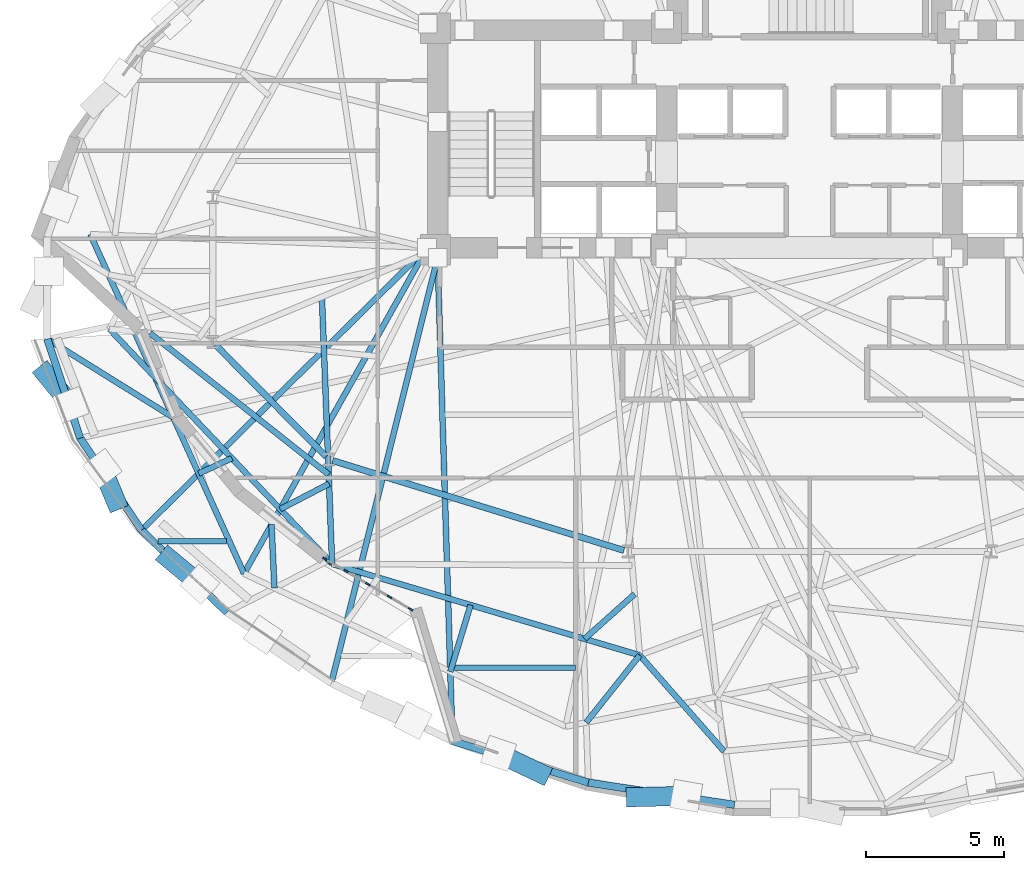
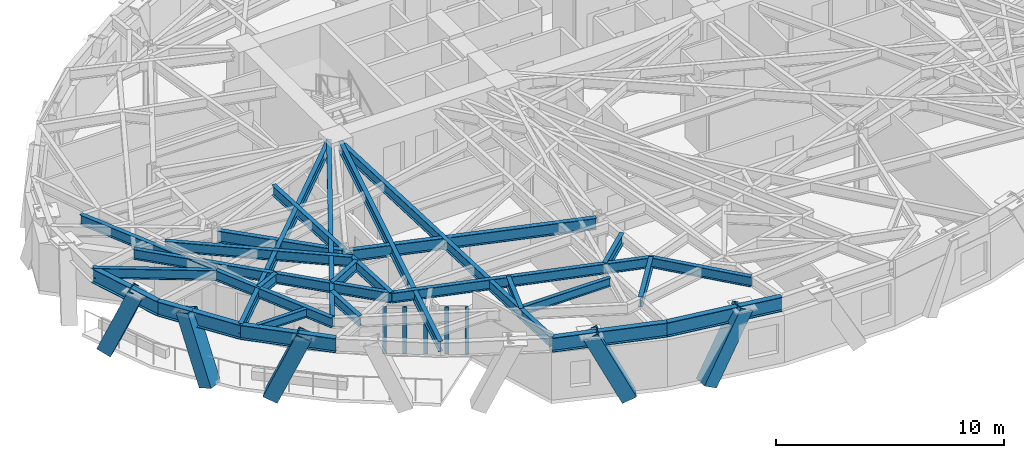
# One storey, part 2 of 17: 26 beams, 10 members, 1 element without a shape of its own.
"""IFC4 building model written with IfcOpenShell, lengths in metres."""

from ifc_helpers import new_model, si_unit, direction, frame, origin, origin_2d, place, context, subcontext, project, spatial, rectangle, hollow_rectangle, i_section, extrude, material, layer, layer_set, material_profile, profile_set, type_object, element, aggregate, save


model = new_model("IFC4")

# Units and contexts
model_context = context("Model", 3, precision=1e-05, world=origin(), true_north=direction((0.0, 1.0)))
body_context = subcontext(model_context, "Body", "Model", "MODEL_VIEW")
ifc_project = project(units=[si_unit("LENGTHUNIT", "METRE"), si_unit("AREAUNIT", "SQUARE_METRE"), si_unit("VOLUMEUNIT", "CUBIC_METRE"), si_unit("PLANEANGLEUNIT", "RADIAN"), si_unit("MASSUNIT", "GRAM", prefix="KILO")], contexts=[model_context])

# Site, building, storey
site_placement = place(None, origin())
site = spatial("IfcSite", under=ifc_project, at=site_placement, CompositionType="ELEMENT")
building_placement = place(site_placement, origin())
building = spatial("IfcBuilding", under=site, at=building_placement, Name="Keldmark Tower", CompositionType="ELEMENT")
storey_placement = place(building_placement, frame((0.0, 0.0, 96.60009765625)))
storey = spatial("IfcBuildingStorey", under=building, at=storey_placement, Name="L25", CompositionType="ELEMENT", Elevation=96.60009765625)

# Beams
ifc_material_1 = material(Name="Steel ASTM A992 Grade 50", Category="steel")
ifc_material_profile_1 = material_profile(ifc_material_1, i_section(OverallWidth=0.19091796875, OverallDepth=0.45703125, WebThickness=0.009033203125, FlangeThickness=0.014404296875, at=origin_2d()), Name="W18X50")
ifc_profile_set_1 = profile_set([ifc_material_profile_1], Name="Steel ASTM A992 Grade 50")
beam_type_1 = type_object("IfcBeamType", Name="Composite Floor Joist W18X50", PredefinedType="JOIST", material=ifc_profile_set_1)
beam_1_placement = place(storey_placement, frame((-12.91748046875, -13.800048828125, 3.081298828125), z_axis=(1.0, 0.0, 0.0), x_axis=(0.0, 1.0, 0.0)))
element("IfcBeam", 1, at=beam_1_placement, inside=storey, type_object=beam_type_1, Name="L25 Composite Floor Joist J02", PredefinedType="JOIST", context=body_context, shape_type="SweptSolid", body=[
    extrude(i_section(OverallWidth=0.19091796875, OverallDepth=0.45703125, WebThickness=0.009033203125, FlangeThickness=0.014404296875, at=origin_2d()), origin(), (0.0, 0.0, 1.0), 4.411376953125),
])
beam_2_placement = place(storey_placement, frame((-23.697265625, -9.199951171875, 3.081298828125), z_axis=(1.0, 0.0, 0.0), x_axis=(0.0, 1.0, 0.0)))
element("IfcBeam", 2, at=beam_2_placement, inside=storey, type_object=beam_type_1, Name="L25 Composite Floor Joist J03", PredefinedType="JOIST", context=body_context, shape_type="SweptSolid", body=[
    extrude(i_section(OverallWidth=0.19091796875, OverallDepth=0.45703125, WebThickness=0.009033203125, FlangeThickness=0.014404296875, at=origin_2d()), origin(), (0.0, 0.0, 1.0), 2.493896484375),
])

# Curtain wall, members
ifc_material_2 = material(Name="Unitized Thermally Broken Aluminum and Triple Low-E Glazing", Category="aluminium")
ifc_layer = layer(ifc_material_2, 0.219970703125)
ifc_layer_set = layer_set([ifc_layer], Name="Unitized Thermally Broken Aluminum and Triple Low-E Glazing")
curtain_wall_type = type_object("IfcCurtainWallType", Name="Spiralling Sky-Garden Feature Curtain Wall System", PredefinedType="NOTDEFINED", material=ifc_layer_set)
curtain_wall_placement = place(storey_placement, origin())
curtain_wall = element("IfcCurtainWall", 3, at=curtain_wall_placement, inside=storey, type_object=curtain_wall_type, Name="L25 Spiralling Sky-Garden Feature Curtain Wall System CW-L25-20", PredefinedType="NOTDEFINED")
ifc_material_3 = material(Name="Extruded Aluminum Alloy 6063-T6", Category="aluminium")
ifc_material_profile_2 = material_profile(ifc_material_3, rectangle(XDim=0.06005859375, YDim=0.179931640625, at=origin_2d()), Name="CWM60X180")
ifc_profile_set_2 = profile_set([ifc_material_profile_2], Name="Extruded Aluminum Alloy 6063-T6")
member_type_1 = type_object("IfcMemberType", Name="Curtain Wall Structural Mullion 60x180", PredefinedType="MULLION", material=ifc_profile_set_2)
member_1_placement = place(storey_placement, frame((-14.5048828125, -11.676025390625, 0.0), z_axis=(0.0, 0.0, 1.0), x_axis=(-0.506662281941, -0.862144612034, 0.0)))
member_1 = element("IfcMember", 4, at=member_1_placement, type_object=member_type_1, Name="CW mullion 1", PredefinedType="MULLION", context=body_context, shape_type="SweptSolid", body=[
    extrude(rectangle(XDim=0.06005859375, YDim=0.179931640625, at=origin_2d()), origin(), (0.0, 0.0, 1.0), 2.52783203125),
])
member_2_placement = place(storey_placement, frame((-15.271484375, -11.2255859375, 0.0), z_axis=(0.0, 0.0, 1.0), x_axis=(-0.506662281941, -0.862144612034, 0.0)))
member_2 = element("IfcMember", 5, at=member_2_placement, type_object=member_type_1, Name="CW mullion 2", PredefinedType="MULLION", context=body_context, shape_type="SweptSolid", body=[
    extrude(rectangle(XDim=0.06005859375, YDim=0.179931640625, at=origin_2d()), origin(), (0.0, 0.0, 1.0), 2.52783203125),
])
member_3_placement = place(storey_placement, frame((-16.06396484375, -10.759765625, 0.0), z_axis=(0.0, 0.0, 1.0), x_axis=(-0.506662281941, -0.862144612034, 0.0)))
member_3 = element("IfcMember", 6, at=member_3_placement, type_object=member_type_1, Name="CW mullion 3", PredefinedType="MULLION", context=body_context, shape_type="SweptSolid", body=[
    extrude(rectangle(XDim=0.06005859375, YDim=0.179931640625, at=origin_2d()), origin(), (0.0, 0.0, 1.0), 2.52783203125),
])
member_4_placement = place(storey_placement, frame((-16.856201171875, -10.294189453125, 0.0), z_axis=(0.0, 0.0, 1.0), x_axis=(-0.506662281941, -0.862144612034, 0.0)))
member_4 = element("IfcMember", 7, at=member_4_placement, type_object=member_type_1, Name="CW mullion 4", PredefinedType="MULLION", context=body_context, shape_type="SweptSolid", body=[
    extrude(rectangle(XDim=0.06005859375, YDim=0.179931640625, at=origin_2d()), origin(), (0.0, 0.0, 1.0), 2.52783203125),
])
member_5_placement = place(storey_placement, frame((-17.622802734375, -9.84375, 0.0), z_axis=(0.0, 0.0, 1.0), x_axis=(-0.506662281941, -0.862144612034, 0.0)))
member_5 = element("IfcMember", 8, at=member_5_placement, type_object=member_type_1, Name="CW mullion 5", PredefinedType="MULLION", context=body_context, shape_type="SweptSolid", body=[
    extrude(rectangle(XDim=0.06005859375, YDim=0.179931640625, at=origin_2d()), origin(), (0.0, 0.0, 1.0), 2.52783203125),
])
aggregate(curtain_wall, [member_1, member_2, member_3, member_4, member_5])

# Members
ifc_material_4 = material(Name="Steel ASTM A572 Grade 50", Category="steel")
ifc_material_profile_3 = material_profile(ifc_material_4, hollow_rectangle(XDim=0.699951171875, YDim=0.699951171875, WallThickness=0.054931640625, at=origin_2d()), Name="BOX700X700X55")
ifc_profile_set_3 = profile_set([ifc_material_profile_3], Name="Steel ASTM A572 Grade 50")
member_type_2 = type_object("IfcMemberType", Name="Diagrid Zone 1 Brace BOX700X700X55", PredefinedType="BRACE", material=ifc_profile_set_3)
member_6_placement = place(storey_placement, frame((-27.790771484375, -3.099853515625, -0.27001953125), z_axis=(0.247255490472, -0.304948438249, 0.919712548811), x_axis=(0.77675574872, 0.629801958421, 0.0)))
element("IfcMember", 9, at=member_6_placement, inside=storey, type_object=member_type_2, Name="L25 Perimeter Diagrid Brace 09A", PredefinedType="BRACE", context=body_context, shape_type="SweptSolid", body=[
    extrude(hollow_rectangle(XDim=0.699951171875, YDim=0.699951171875, WallThickness=0.054931640625, at=origin_2d()), origin(), (0.0, 0.0, 1.0), 3.761962890625),
])
member_7_placement = place(storey_placement, frame((-25.227294921875, -7.7373046875, -0.27001953125), z_axis=(-0.134030545644, 0.3209852949, 0.937552266966), x_axis=(-0.922784061619, -0.385317499761, 0.0)))
element("IfcMember", 10, at=member_7_placement, inside=storey, type_object=member_type_2, Name="L25 Perimeter Diagrid Brace 09B", PredefinedType="BRACE", context=body_context, shape_type="SweptSolid", body=[
    extrude(hollow_rectangle(XDim=0.699951171875, YDim=0.699951171875, WallThickness=0.054931640625, at=origin_2d()), origin(), (0.0, 0.0, 1.0), 3.6904296875),
])
member_8_placement = place(storey_placement, frame((-23.323486328125, -9.8125, -0.27001953125), z_axis=(0.30573270927, -0.252682902301, 0.917975414359), x_axis=(0.637062902617, 0.770811817573, 0.0)))
element("IfcMember", 11, at=member_8_placement, inside=storey, type_object=member_type_2, Name="L25 Perimeter Diagrid Brace 10A", PredefinedType="BRACE", context=body_context, shape_type="SweptSolid", body=[
    extrude(hollow_rectangle(XDim=0.699951171875, YDim=0.699951171875, WallThickness=0.054931640625, at=origin_2d()), origin(), (0.0, 0.0, 1.0), 3.76904296875),
])
member_9_placement = place(storey_placement, frame((-9.775634765625, -17.64306640625, -0.27001953125), z_axis=(-0.398180599514, 0.187908298832, 0.897854487877), x_axis=(-0.426780787201, -0.904355107066, 0.0)))
element("IfcMember", 12, at=member_9_placement, inside=storey, type_object=member_type_2, Name="L25 Perimeter Diagrid Brace 11B", PredefinedType="BRACE", context=body_context, shape_type="SweptSolid", body=[
    extrude(hollow_rectangle(XDim=0.699951171875, YDim=0.699951171875, WallThickness=0.054931640625, at=origin_2d()), origin(), (0.0, 0.0, 1.0), 3.853515625),
])
member_10_placement = place(storey_placement, frame((-6.357421875, -18.508056640625, -0.27001953125), z_axis=(0.476033807993, 0.011851206638, 0.879347122898), x_axis=(-0.024888013149, 0.999690245427, 0.0)))
element("IfcMember", 13, at=member_10_placement, inside=storey, type_object=member_type_2, Name="L25 Perimeter Diagrid Brace 12A", PredefinedType="BRACE", context=body_context, shape_type="SweptSolid", body=[
    extrude(hollow_rectangle(XDim=0.699951171875, YDim=0.699951171875, WallThickness=0.054931640625, at=origin_2d()), origin(), (0.0, 0.0, 1.0), 3.934814453125),
])

# Beams
ifc_material_5 = material(Name="Steel ASTM A992 Grade 50", Category="steel")
ifc_material_profile_4 = material_profile(ifc_material_5, i_section(OverallWidth=0.22900390625, OverallDepth=0.612060546875, WebThickness=0.011962890625, FlangeThickness=0.01953125, at=origin_2d()), Name="W24X84")
ifc_profile_set_4 = profile_set([ifc_material_profile_4], Name="Steel ASTM A992 Grade 50")
beam_type_2 = type_object("IfcBeamType", Name="Primary Floor Girder W24X84", PredefinedType="BEAM", material=ifc_profile_set_4)
beam_3_placement = place(storey_placement, frame((-21.598388671875, -2.0654296875, 3.00390625), z_axis=(0.703425791323, -0.71076870788, 0.0), x_axis=(0.71076870788, 0.703425791323, 0.0)))
element("IfcBeam", 14, at=beam_3_placement, inside=storey, type_object=beam_type_2, Name="L25 Floor Ring Girder FG-R07", PredefinedType="BEAM", context=body_context, shape_type="SweptSolid", body=[
    extrude(i_section(OverallWidth=0.22900390625, OverallDepth=0.612060546875, WebThickness=0.011962890625, FlangeThickness=0.01953125, at=origin_2d()), origin(), (0.0, 0.0, 1.0), 5.71875),
])
beam_4_placement = place(storey_placement, frame((-17.343505859375, -6.270751953125, 3.00390625), z_axis=(0.955607954968, -0.294641199432, 0.0), x_axis=(0.294641199432, 0.955607954968, 0.0)))
element("IfcBeam", 15, at=beam_4_placement, inside=storey, type_object=beam_type_2, Name="L25 Floor Ring Girder FG-R08", PredefinedType="BEAM", context=body_context, shape_type="SweptSolid", body=[
    extrude(i_section(OverallWidth=0.22900390625, OverallDepth=0.612060546875, WebThickness=0.011962890625, FlangeThickness=0.01953125, at=origin_2d()), origin(), (0.0, 0.0, 1.0), 11.089111328125),
])
ifc_material_6 = material(Name="Steel ASTM A992 Grade 50", Category="steel")
ifc_material_profile_5 = material_profile(ifc_material_6, i_section(OverallWidth=0.2099609375, OverallDepth=0.537109375, WebThickness=0.010986328125, FlangeThickness=0.017333984375, at=origin_2d()), Name="W21X68")
ifc_profile_set_5 = profile_set([ifc_material_profile_5], Name="Steel ASTM A992 Grade 50")
beam_type_3 = type_object("IfcBeamType", Name="Radial Tie Girder W21X68", PredefinedType="BEAM", material=ifc_profile_set_5)
beam_5_placement = place(storey_placement, frame((-23.97900390625, -1.637939453125, 3.04150390625), z_axis=(0.78414802779, -0.62057382358, 0.0), x_axis=(0.62057382358, 0.78414802779, 0.0)))
element("IfcBeam", 16, at=beam_5_placement, inside=storey, type_object=beam_type_3, Name="L25 Framing Pin Header PH-005", PredefinedType="BEAM", context=body_context, shape_type="SweptSolid", body=[
    extrude(i_section(OverallWidth=0.2099609375, OverallDepth=0.537109375, WebThickness=0.010986328125, FlangeThickness=0.017333984375, at=origin_2d()), origin(), (0.0, 0.0, 1.0), 8.281982421875),
])
beam_6_placement = place(storey_placement, frame((-17.7314453125, -0.3173828125, 3.04150390625), z_axis=(0.038214090549, -0.999269574881, 0.0), x_axis=(0.999269574881, 0.038214090549, 0.0)))
element("IfcBeam", 17, at=beam_6_placement, inside=storey, type_object=beam_type_3, Name="L25 Sub-Ring Step Girder STP1-M08", PredefinedType="BEAM", context=body_context, shape_type="SweptSolid", body=[
    extrude(i_section(OverallWidth=0.2099609375, OverallDepth=0.537109375, WebThickness=0.010986328125, FlangeThickness=0.017333984375, at=origin_2d()), origin(), (0.0, 0.0, 1.0), 9.71728515625),
])
beam_7_placement = place(storey_placement, frame((-25.46142578125, -1.48681640625, 3.04150390625), z_axis=(0.688194938593, -0.725525827586, 0.0), x_axis=(0.725525827586, 0.688194938593, 0.0)))
element("IfcBeam", 18, at=beam_7_placement, inside=storey, type_object=beam_type_3, Name="L25 Perimeter Collector Ring Beam CRG1-M07", PredefinedType="BEAM", context=body_context, shape_type="SweptSolid", body=[
    extrude(i_section(OverallWidth=0.2099609375, OverallDepth=0.537109375, WebThickness=0.010986328125, FlangeThickness=0.017333984375, at=origin_2d()), origin(), (0.0, 0.0, 1.0), 11.771728515625),
])
beam_8_placement = place(storey_placement, frame((-17.360107421875, -10.027587890625, 3.04150390625), z_axis=(0.958614481786, -0.284707350293, 0.0), x_axis=(0.284707350293, 0.958614481786, 0.0)))
element("IfcBeam", 19, at=beam_8_placement, inside=storey, type_object=beam_type_3, Name="L25 Perimeter Collector Ring Beam CRG1-M08", PredefinedType="BEAM", context=body_context, shape_type="SweptSolid", body=[
    extrude(i_section(OverallWidth=0.2099609375, OverallDepth=0.537109375, WebThickness=0.010986328125, FlangeThickness=0.017333984375, at=origin_2d()), origin(), (0.0, 0.0, 1.0), 11.668212890625),
])
beam_9_placement = place(storey_placement, frame((-17.4716796875, -7.114501953125, 3.04150390625), z_axis=(-0.887240764754, -0.461306650027, 0.0), x_axis=(0.461306650027, -0.887240764754, 0.0)))
element("IfcBeam", 20, at=beam_9_placement, inside=storey, type_object=beam_type_3, Name="L25 Framing Pin Header PH-011", PredefinedType="BEAM", context=body_context, shape_type="SweptSolid", body=[
    extrude(i_section(OverallWidth=0.2099609375, OverallDepth=0.537109375, WebThickness=0.010986328125, FlangeThickness=0.017333984375, at=origin_2d()), origin(), (0.0, 0.0, 1.0), 2.00146484375),
])
beam_10_placement = place(storey_placement, frame((-13.89990234375, 1.47509765625, 3.04150390625), z_axis=(-0.490020847503, -0.871710714063, 0.0), x_axis=(0.871710714063, -0.490020847503, 0.0)))
element("IfcBeam", 21, at=beam_10_placement, inside=storey, type_object=beam_type_3, Name="L25 Sub-Ring Step Girder STP2-M08", PredefinedType="BEAM", context=body_context, shape_type="SweptSolid", body=[
    extrude(i_section(OverallWidth=0.2099609375, OverallDepth=0.537109375, WebThickness=0.010986328125, FlangeThickness=0.017333984375, at=origin_2d()), origin(), (0.0, 0.0, 1.0), 13.5986328125),
])
beam_11_placement = place(storey_placement, frame((-6.361328125, -11.1259765625, 3.04150390625), z_axis=(-0.745675120469, -0.666309698799, 0.0), x_axis=(0.666309698799, -0.745675120469, 0.0)))
element("IfcBeam", 22, at=beam_11_placement, inside=storey, type_object=beam_type_3, Name="L25 Framing Pin Header PH-012", PredefinedType="BEAM", context=body_context, shape_type="SweptSolid", body=[
    extrude(i_section(OverallWidth=0.2099609375, OverallDepth=0.537109375, WebThickness=0.010986328125, FlangeThickness=0.017333984375, at=origin_2d()), origin(), (0.0, 0.0, 1.0), 2.4423828125),
])
beam_12_placement = place(storey_placement, frame((-26.153076171875, 1.956787109375, 3.04150390625), z_axis=(0.412729676036, -0.910853563708, 0.0), x_axis=(0.910853563708, 0.412729676036, 0.0)))
element("IfcBeam", 23, at=beam_12_placement, inside=storey, type_object=beam_type_3, Name="L25 Perimeter Collector Ring Beam CRG2-M07", PredefinedType="BEAM", context=body_context, shape_type="SweptSolid", body=[
    extrude(i_section(OverallWidth=0.2099609375, OverallDepth=0.537109375, WebThickness=0.010986328125, FlangeThickness=0.017333984375, at=origin_2d()), origin(), (0.0, 0.0, 1.0), 13.54296875),
])
beam_13_placement = place(storey_placement, frame((-27.7158203125, -1.8505859375, 3.04150390625), z_axis=(0.848744482282, -0.528803180584, 0.0), x_axis=(0.528803180584, 0.848744482282, 0.0)))
element("IfcBeam", 24, at=beam_13_placement, inside=storey, type_object=beam_type_3, Name="L25 Framing Pin Header PH-026", PredefinedType="BEAM", context=body_context, shape_type="SweptSolid", body=[
    extrude(i_section(OverallWidth=0.2099609375, OverallDepth=0.537109375, WebThickness=0.010986328125, FlangeThickness=0.017333984375, at=origin_2d()), origin(), (0.0, 0.0, 1.0), 5.39794921875),
])
beam_14_placement = place(storey_placement, frame((-21.005615234375, -6.18408203125, 3.04150390625), z_axis=(-0.907059096304, -0.421003320428, 0.0), x_axis=(0.421003320428, -0.907059096304, 0.0)))
element("IfcBeam", 25, at=beam_14_placement, inside=storey, type_object=beam_type_3, Name="L25 Framing Pin Header PH-027", PredefinedType="BEAM", context=body_context, shape_type="SweptSolid", body=[
    extrude(i_section(OverallWidth=0.2099609375, OverallDepth=0.537109375, WebThickness=0.010986328125, FlangeThickness=0.017333984375, at=origin_2d()), origin(), (0.0, 0.0, 1.0), 1.32861328125),
])
beam_15_placement = place(storey_placement, frame((-13.89990234375, 1.47509765625, 3.04150390625), z_axis=(-0.711046002609, -0.703145491469, 0.0), x_axis=(0.703145491469, -0.711046002609, 0.0)))
element("IfcBeam", 26, at=beam_15_placement, inside=storey, type_object=beam_type_3, Name="L25 Perimeter Radial Tie Girder RT-19", PredefinedType="BEAM", context=body_context, shape_type="SweptSolid", body=[
    extrude(i_section(OverallWidth=0.2099609375, OverallDepth=0.537109375, WebThickness=0.010986328125, FlangeThickness=0.017333984375, at=origin_2d()), origin(), (0.0, 0.0, 1.0), 14.61669921875),
])
beam_16_placement = place(storey_placement, frame((-19.56396484375, -8.6005859375, 3.04150390625), z_axis=(0.046458943525, -0.9989202003, 0.0), x_axis=(0.9989202003, 0.046458943525, 0.0)))
element("IfcBeam", 27, at=beam_16_placement, inside=storey, type_object=beam_type_3, Name="L25 Framing Pin Header PH-028", PredefinedType="BEAM", context=body_context, shape_type="SweptSolid", body=[
    extrude(i_section(OverallWidth=0.2099609375, OverallDepth=0.537109375, WebThickness=0.010986328125, FlangeThickness=0.017333984375, at=origin_2d()), origin(), (0.0, 0.0, 1.0), 2.306884765625),
])
beam_17_placement = place(storey_placement, frame((-13.52490234375, 1.10009765625, 3.04150390625), z_axis=(-0.242470755884, -0.970158715129, 0.0), x_axis=(0.970158715129, -0.242470755884, 0.0)))
element("IfcBeam", 28, at=beam_17_placement, inside=storey, type_object=beam_type_3, Name="L25 Perimeter Radial Tie Girder RT-21", PredefinedType="BEAM", context=body_context, shape_type="SweptSolid", body=[
    extrude(i_section(OverallWidth=0.2099609375, OverallDepth=0.537109375, WebThickness=0.010986328125, FlangeThickness=0.017333984375, at=origin_2d()), origin(), (0.0, 0.0, 1.0), 15.93994140625),
])
beam_18_placement = place(storey_placement, frame((-12.326904296875, -11.5224609375, 3.04150390625), z_axis=(-0.290459536612, -0.956887275279, 0.0), x_axis=(0.956887275279, -0.290459536612, 0.0)))
element("IfcBeam", 29, at=beam_18_placement, inside=storey, type_object=beam_type_3, Name="L25 Framing Pin Header PH-030", PredefinedType="BEAM", context=body_context, shape_type="SweptSolid", body=[
    extrude(i_section(OverallWidth=0.2099609375, OverallDepth=0.537109375, WebThickness=0.010986328125, FlangeThickness=0.017333984375, at=origin_2d()), origin(), (0.0, 0.0, 1.0), 2.532470703125),
])
beam_19_placement = place(storey_placement, frame((-13.52490234375, 1.10009765625, 3.04150390625), z_axis=(0.030725213616, -0.99952786917, 0.0), x_axis=(0.99952786917, 0.030725213616, 0.0)))
element("IfcBeam", 30, at=beam_19_placement, inside=storey, type_object=beam_type_3, Name="L25 Perimeter Radial Tie Girder RT-22", PredefinedType="BEAM", context=body_context, shape_type="SweptSolid", body=[
    extrude(i_section(OverallWidth=0.2099609375, OverallDepth=0.537109375, WebThickness=0.010986328125, FlangeThickness=0.017333984375, at=origin_2d()), origin(), (0.0, 0.0, 1.0), 17.576416015625),
])
beam_20_placement = place(storey_placement, frame((-6.1748046875, -13.349609375, 3.04150390625), z_axis=(-0.622920581585, -0.782285081692, 0.0), x_axis=(0.782285081692, -0.622920581585, 0.0)))
element("IfcBeam", 31, at=beam_20_placement, inside=storey, type_object=beam_type_3, Name="L25 Framing Pin Header PH-031", PredefinedType="BEAM", context=body_context, shape_type="SweptSolid", body=[
    extrude(i_section(OverallWidth=0.2099609375, OverallDepth=0.537109375, WebThickness=0.010986328125, FlangeThickness=0.017333984375, at=origin_2d()), origin(), (0.0, 0.0, 1.0), 3.123779296875),
])
beam_21_placement = place(storey_placement, frame((-6.1748046875, -13.349609375, 3.04150390625), z_axis=(0.659803346611, -0.751438316697, 0.0), x_axis=(0.751438316697, 0.659803346611, 0.0)))
element("IfcBeam", 32, at=beam_21_placement, inside=storey, type_object=beam_type_3, Name="L25 Local Collector Chord RT-24C", PredefinedType="BEAM", context=body_context, shape_type="SweptSolid", body=[
    extrude(i_section(OverallWidth=0.2099609375, OverallDepth=0.537109375, WebThickness=0.010986328125, FlangeThickness=0.017333984375, at=origin_2d()), origin(), (0.0, 0.0, 1.0), 4.64111328125),
])
ifc_material_7 = material(Name="Steel ASTM A992 Grade 50", Category="steel")
ifc_material_profile_6 = material_profile(ifc_material_7, i_section(OverallWidth=0.26806640625, OverallDepth=0.77001953125, WebThickness=0.015625, FlangeThickness=0.025390625, at=origin_2d()), Name="W30X132")
ifc_profile_set_6 = profile_set([ifc_material_profile_6], Name="Steel ASTM A992 Grade 50")
beam_type_4 = type_object("IfcBeamType", Name="Spandrel Ring Beam W30X132", PredefinedType="SPANDREL", material=ifc_profile_set_6)
beam_22_placement = place(storey_placement, frame((-27.7158203125, -1.8505859375, 2.9248046875), z_axis=(0.314316911692, -0.94931811266, 0.0), x_axis=(0.94931811266, 0.314316911692, 0.0)))
element("IfcBeam", 33, at=beam_22_placement, inside=storey, type_object=beam_type_4, Name="L25 Perimeter Spandrel Ring Beam SRB-17", PredefinedType="SPANDREL", context=body_context, shape_type="SweptSolid", body=[
    extrude(i_section(OverallWidth=0.26806640625, OverallDepth=0.77001953125, WebThickness=0.015625, FlangeThickness=0.025390625, at=origin_2d()), origin(), (0.0, 0.0, 1.0), 3.7958984375),
])
beam_23_placement = place(storey_placement, frame((-26.522705078125, -5.4541015625, 2.9248046875), z_axis=(0.554265966169, -0.832339617432, 0.0), x_axis=(0.832339617432, 0.554265966169, 0.0)))
element("IfcBeam", 34, at=beam_23_placement, inside=storey, type_object=beam_type_4, Name="L25 Perimeter Spandrel Ring Beam SRB-18", PredefinedType="SPANDREL", context=body_context, shape_type="SweptSolid", body=[
    extrude(i_section(OverallWidth=0.26806640625, OverallDepth=0.77001953125, WebThickness=0.015625, FlangeThickness=0.025390625, at=origin_2d()), origin(), (0.0, 0.0, 1.0), 4.02294921875),
])
beam_24_placement = place(storey_placement, frame((-24.29296875, -8.802490234375, 2.9248046875), z_axis=(0.720581378362, -0.693370375166, 0.0), x_axis=(0.693370375166, 0.720581378362, 0.0)))
element("IfcBeam", 35, at=beam_24_placement, inside=storey, type_object=beam_type_4, Name="L25 Perimeter Spandrel Ring Beam SRB-19", PredefinedType="SPANDREL", context=body_context, shape_type="SweptSolid", body=[
    extrude(i_section(OverallWidth=0.26806640625, OverallDepth=0.77001953125, WebThickness=0.015625, FlangeThickness=0.025390625, at=origin_2d()), origin(), (0.0, 0.0, 1.0), 4.306640625),
])
beam_25_placement = place(storey_placement, frame((-12.98486328125, -16.468017578125, 2.9248046875), z_axis=(0.956228569431, -0.292620783617, 0.0), x_axis=(0.292620783617, 0.956228569431, 0.0)))
element("IfcBeam", 36, at=beam_25_placement, inside=storey, type_object=beam_type_4, Name="L25 Perimeter Spandrel Ring Beam SRB-22", PredefinedType="SPANDREL", context=body_context, shape_type="SweptSolid", body=[
    extrude(i_section(OverallWidth=0.26806640625, OverallDepth=0.77001953125, WebThickness=0.015625, FlangeThickness=0.025390625, at=origin_2d()), origin(), (0.0, 0.0, 1.0), 5.165283203125),
])
beam_26_placement = place(storey_placement, frame((-8.045654296875, -17.9794921875, 2.9248046875), z_axis=(0.988621773192, -0.150422702975, 0.0), x_axis=(0.150422702975, 0.988621773192, 0.0)))
element("IfcBeam", 37, at=beam_26_placement, inside=storey, type_object=beam_type_4, Name="L25 Perimeter Spandrel Ring Beam SRB-23", PredefinedType="SPANDREL", context=body_context, shape_type="SweptSolid", body=[
    extrude(i_section(OverallWidth=0.26806640625, OverallDepth=0.77001953125, WebThickness=0.015625, FlangeThickness=0.025390625, at=origin_2d()), origin(), (0.0, 0.0, 1.0), 5.377197265625),
])

save(model, "model.ifc")
